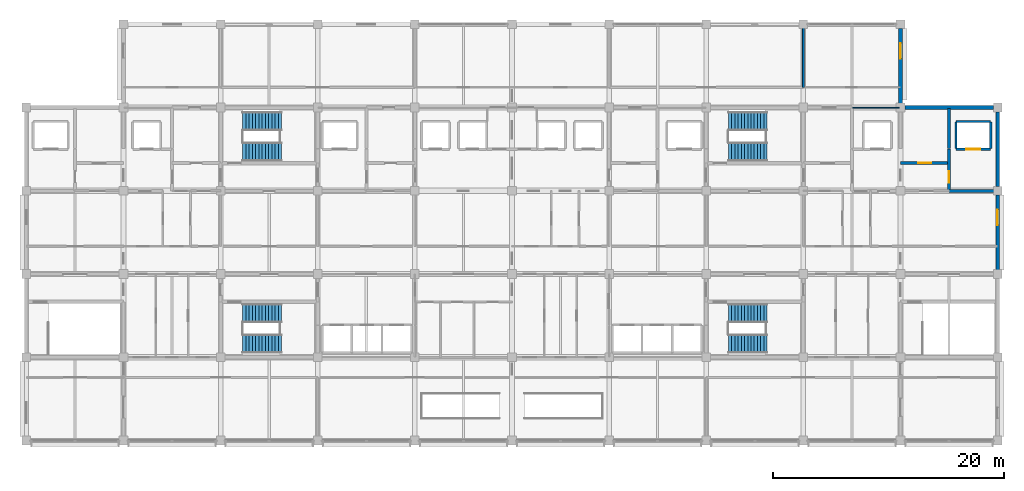
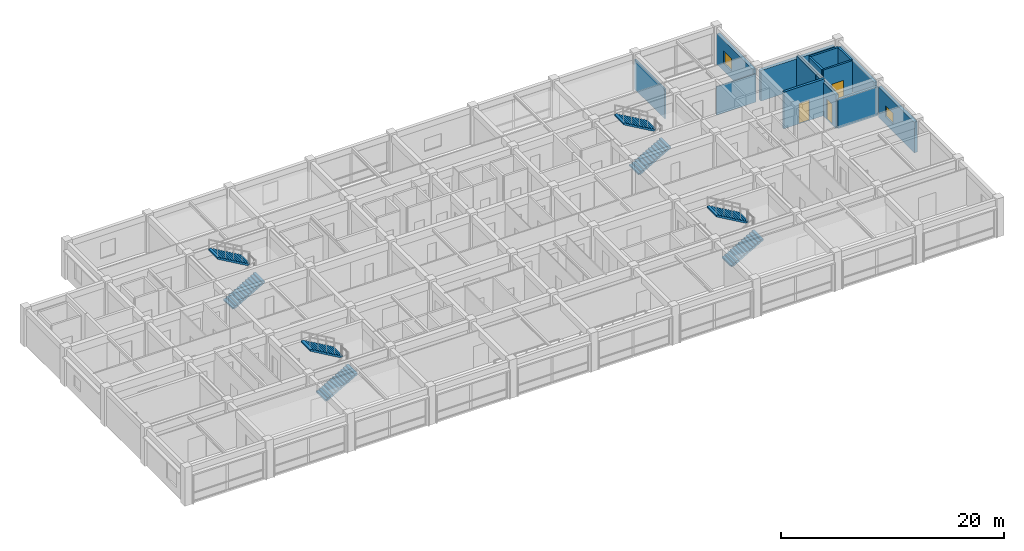
# One storey, part 20 of 23: 14 walls, 8 stair flights, 3 doors, 2 windows, 5 openings, 4 elements without a shape of their own.
"""IFC4 building model written with IfcOpenShell, lengths in metres."""

from ifc_helpers import new_model, si_unit, direction, frame, frame_2d, origin, place, context, subcontext, project, spatial, polyline, rectangle, outline, extrude, material, layer, layer_set, type_object, element, fill, aggregate, save


model = new_model("IFC4")

# Units and contexts
model_context = context("Model", 3, precision=1e-05, world=origin(), true_north=direction((0.0, 1.0)))
body_context = subcontext(model_context, "Body", "Model", "MODEL_VIEW")
ifc_project = project(units=[si_unit("LENGTHUNIT", "METRE"), si_unit("AREAUNIT", "SQUARE_METRE"), si_unit("VOLUMEUNIT", "CUBIC_METRE"), si_unit("PLANEANGLEUNIT", "RADIAN"), si_unit("MASSUNIT", "GRAM", prefix="KILO")], contexts=[model_context])

# Site, building, storey
site_placement = place(None, origin())
site = spatial("IfcSite", under=ifc_project, at=site_placement, CompositionType="ELEMENT")
building_placement = place(site_placement, origin())
building = spatial("IfcBuilding", under=site, at=building_placement, Name="Chengyuan Square Courthouse", CompositionType="ELEMENT")
storey_placement = place(building_placement, frame((0.0, 0.0, 43.5)))
storey = spatial("IfcBuildingStorey", under=building, at=storey_placement, Name="L10", CompositionType="ELEMENT", Elevation=43.5)

# Wall, opening, window
ifc_material_1 = material(Name="Concrete C40", Category="concrete")
ifc_layer_1 = layer(ifc_material_1, 0.320068359375)
ifc_layer_set_1 = layer_set([ifc_layer_1], Name="Concrete C40")
wall_type_1 = type_object("IfcWallType", Name="WL-EW3", PredefinedType="STANDARD", material=ifc_layer_set_1)
wall_1_placement = place(storey_placement, frame((117.60009765625, 108.3701171875, 0.0), z_axis=(0.0, 0.0, 1.0), x_axis=(0.0, 1.0, 0.0)))
wall_1 = element("IfcWall", 1, at=wall_1_placement, inside=storey, type_object=wall_type_1, Name="Exterior Wall WL-L10-E440", PredefinedType="STANDARD", context=body_context, shape_type="SweptSolid", body=[
    extrude(rectangle(XDim=6.4599609375, YDim=0.320068359375, at=frame_2d((3.22998046875, 0.0))), origin(), (0.0, 0.0, 1.0), 3.35009765625),
])
opening_1_placement = place(wall_1_placement, frame((3.85498046875, 0.0, 0.85009765625)))
opening_1 = element("IfcOpeningElement", 2, at=opening_1_placement, cuts=wall_1, Name="Opening WN-175", PredefinedType="OPENING", context=body_context, shape_type="SweptSolid", body=[
    extrude(rectangle(XDim=1.35009765625, YDim=1.3798828125, at=frame_2d((0.675048828125, 0.68994140625))), frame((0.0, 0.172119140625, 0.0), z_axis=(0.0, -1.0, 0.0), x_axis=(1.0, 0.0, 0.0)), (0.0, 0.0, 1.0), 0.343994140625),
])
ifc_material_2 = material(Name="Thermally Broken Aluminium Triple Low-E Window", Category="aluminium")
window_type_1 = type_object("IfcWindowType", Name="WT-20", PartitioningType="SINGLE_PANEL", PredefinedType="WINDOW", material=ifc_material_2)
window_1_placement = place(opening_1_placement, origin())
window_1 = element("IfcWindow", 3, at=window_1_placement, inside=storey, type_object=window_type_1, Name="Facade Window WN-175", OverallHeight=1.3798828125, OverallWidth=1.35009765625, PartitioningType="SINGLE_PANEL", PredefinedType="WINDOW", context=body_context, shape_type="SweptSolid", body=[
    extrude(rectangle(XDim=1.35009765625, YDim=1.3798828125, at=frame_2d((0.675048828125, 0.68994140625))), frame((0.0, 0.030029296875, 0.0), z_axis=(0.0, -1.0, 0.0), x_axis=(1.0, 0.0, 0.0)), (0.0, 0.0, 1.0), 0.06005859375),
])
fill(opening_1, window_1)

wall_2_placement = place(storey_placement, frame((126.0, 93.969970703125, 0.0), z_axis=(0.0, 0.0, 1.0), x_axis=(0.0, 1.0, 0.0)))
wall_2 = element("IfcWall", 4, at=wall_2_placement, inside=storey, type_object=wall_type_1, Name="Exterior Wall WL-L10-E443", PredefinedType="STANDARD", context=body_context, shape_type="SweptSolid", body=[
    extrude(rectangle(XDim=6.4599609375, YDim=0.320068359375, at=frame_2d((3.22998046875, 0.0))), origin(), (0.0, 0.0, 1.0), 3.35009765625),
])
opening_2_placement = place(wall_2_placement, frame((3.85498046875, 0.0, 0.85009765625)))
opening_2 = element("IfcOpeningElement", 5, at=opening_2_placement, cuts=wall_2, Name="Opening WN-177", PredefinedType="OPENING", context=body_context, shape_type="SweptSolid", body=[
    extrude(rectangle(XDim=1.35009765625, YDim=1.199951171875, at=frame_2d((0.675048828125, 0.60009765625))), frame((0.0, 0.172119140625, 0.0), z_axis=(0.0, -1.0, 0.0), x_axis=(1.0, 0.0, 0.0)), (0.0, 0.0, 1.0), 0.343994140625),
])
window_type_2 = type_object("IfcWindowType", Name="WT-19", PartitioningType="SINGLE_PANEL", PredefinedType="WINDOW", material=ifc_material_2)
window_2_placement = place(opening_2_placement, origin())
window_2 = element("IfcWindow", 6, at=window_2_placement, inside=storey, type_object=window_type_2, Name="Facade Window WN-177", OverallHeight=1.199951171875, OverallWidth=1.35009765625, PartitioningType="SINGLE_PANEL", PredefinedType="WINDOW", context=body_context, shape_type="SweptSolid", body=[
    extrude(rectangle(XDim=1.35009765625, YDim=1.199951171875, at=frame_2d((0.675048828125, 0.60009765625))), frame((0.0, 0.030029296875, 0.0), z_axis=(0.0, -1.0, 0.0), x_axis=(1.0, 0.0, 0.0)), (0.0, 0.0, 1.0), 0.06005859375),
])
fill(opening_2, window_2)

# Walls
wall_3_placement = place(storey_placement, frame((117.969970703125, 108.0, 0.0), z_axis=(0.0, 0.0, 1.0), x_axis=(1.0, 0.0, 0.0)))
element("IfcWall", 7, at=wall_3_placement, inside=storey, type_object=wall_type_1, Name="Exterior Wall WL-L10-E444", PredefinedType="STANDARD", context=body_context, shape_type="SweptSolid", body=[
    extrude(rectangle(XDim=7.659912109375, YDim=0.320068359375, at=frame_2d((3.830078125, 0.0))), origin(), (0.0, 0.0, 1.0), 3.35009765625),
])
wall_4_placement = place(storey_placement, frame((126.0, 101.169921875, 0.0), z_axis=(0.0, 0.0, 1.0), x_axis=(0.0, 1.0, 0.0)))
element("IfcWall", 8, at=wall_4_placement, inside=storey, type_object=wall_type_1, Name="Exterior Wall WL-L10-E445", PredefinedType="STANDARD", context=body_context, shape_type="SweptSolid", body=[
    extrude(rectangle(XDim=6.4599609375, YDim=0.320068359375, at=frame_2d((3.22998046875, 0.0))), origin(), (0.0, 0.0, 1.0), 3.35009765625),
])
ifc_layer_2 = layer(ifc_material_1, 0.25)
ifc_layer_set_2 = layer_set([ifc_layer_2], Name="Concrete C40")
wall_type_2 = type_object("IfcWallType", Name="WL-FW1", PredefinedType="STANDARD", material=ifc_layer_set_2)
wall_5_placement = place(storey_placement, frame((121.800048828125, 100.800048828125, 0.0), z_axis=(0.0, 0.0, 1.0), x_axis=(1.0, 0.0, 0.0)))
element("IfcWall", 9, at=wall_5_placement, inside=storey, type_object=wall_type_2, Name="Interior Wall WL-L10-I3350", PredefinedType="STANDARD", context=body_context, shape_type="SweptSolid", body=[
    extrude(rectangle(XDim=4.159912109375, YDim=0.25, at=frame_2d((2.080078125, 0.0))), origin(), (0.0, 0.0, 1.0), 3.14990234375),
])

# Wall, opening, door
wall_6_placement = place(storey_placement, frame((117.60009765625, 103.199951171875, 0.0), z_axis=(0.0, 0.0, 1.0), x_axis=(1.0, 0.0, 0.0)))
wall_6 = element("IfcWall", 10, at=wall_6_placement, inside=storey, type_object=wall_type_2, Name="Interior Wall WL-L10-I3358", PredefinedType="STANDARD", context=body_context, shape_type="SweptSolid", body=[
    extrude(rectangle(XDim=4.199951171875, YDim=0.25, at=frame_2d((2.10009765625, 0.0))), origin(), (0.0, 0.0, 1.0), 4.0),
])
opening_3_placement = place(wall_6_placement, frame((1.550048828125, 0.0, 0.0)))
opening_3 = element("IfcOpeningElement", 11, at=opening_3_placement, cuts=wall_6, Name="Opening DR-2807", PredefinedType="OPENING", context=body_context, shape_type="SweptSolid", body=[
    extrude(rectangle(XDim=1.10009765625, YDim=2.199951171875, at=frame_2d((0.550048828125, 1.10009765625))), frame((0.0, 0.136962890625, 0.0), z_axis=(0.0, -1.0, 0.0), x_axis=(1.0, 0.0, 0.0)), (0.0, 0.0, 1.0), 0.27392578125),
])
ifc_material_3 = material(Name="Steel Q235B Fire Door", Category="steel")
door_type_1 = type_object("IfcDoorType", Name="DT-10", OperationType="NOTDEFINED", PredefinedType="DOOR", material=ifc_material_3)
door_1_placement = place(opening_3_placement, origin())
door_1 = element("IfcDoor", 12, at=door_1_placement, inside=storey, type_object=door_type_1, Name="Interior Door DR-2807", OperationType="SINGLE_SWING_LEFT", OverallHeight=2.199951171875, OverallWidth=1.10009765625, PredefinedType="DOOR", context=body_context, shape_type="SweptSolid", body=[
    extrude(rectangle(XDim=1.10009765625, YDim=2.199951171875, at=frame_2d((0.550048828125, 1.10009765625))), frame((0.0, 0.02490234375, 0.0), z_axis=(0.0, -1.0, 0.0), x_axis=(1.0, 0.0, 0.0)), (0.0, 0.0, 1.0), 0.050048828125),
])
fill(opening_3, door_1)

wall_7_placement = place(storey_placement, frame((121.800048828125, 100.800048828125, 0.0), z_axis=(0.0, 0.0, 1.0), x_axis=(0.0, 1.0, 0.0)))
wall_7 = element("IfcWall", 13, at=wall_7_placement, inside=storey, type_object=wall_type_2, Name="Interior Wall WL-L10-I3502", PredefinedType="STANDARD", context=body_context, shape_type="SweptSolid", body=[
    extrude(rectangle(XDim=3.599853515625, YDim=0.25, at=frame_2d((1.7998046875, 0.0))), origin(), (0.0, 0.0, 1.0), 3.64990234375),
])
opening_4_placement = place(wall_7_placement, frame((0.699951171875, 0.0, 0.0)))
opening_4 = element("IfcOpeningElement", 14, at=opening_4_placement, cuts=wall_7, Name="Opening DR-2808", PredefinedType="OPENING", context=body_context, shape_type="SweptSolid", body=[
    extrude(rectangle(XDim=1.0, YDim=2.199951171875, at=frame_2d((0.5, 1.10009765625))), frame((0.0, 0.136962890625, 0.0), z_axis=(0.0, -1.0, 0.0), x_axis=(1.0, 0.0, 0.0)), (0.0, 0.0, 1.0), 0.27392578125),
])
door_type_2 = type_object("IfcDoorType", Name="DT-11", OperationType="NOTDEFINED", PredefinedType="DOOR", material=ifc_material_3)
door_2_placement = place(opening_4_placement, origin())
door_2 = element("IfcDoor", 15, at=door_2_placement, inside=storey, type_object=door_type_2, Name="Interior Door DR-2808", OperationType="SINGLE_SWING_RIGHT", OverallHeight=2.199951171875, OverallWidth=1.0, PredefinedType="DOOR", context=body_context, shape_type="SweptSolid", body=[
    extrude(rectangle(XDim=1.0, YDim=2.199951171875, at=frame_2d((0.5, 1.10009765625))), frame((0.0, 0.02490234375, 0.0), z_axis=(0.0, -1.0, 0.0), x_axis=(1.0, 0.0, 0.0)), (0.0, 0.0, 1.0), 0.050048828125),
])
fill(opening_4, door_2)

# Walls
wall_8_placement = place(storey_placement, frame((121.800048828125, 104.449951171875, 0.0), z_axis=(0.0, 0.0, 1.0), x_axis=(0.0, 1.0, 0.0)))
element("IfcWall", 16, at=wall_8_placement, inside=storey, type_object=wall_type_2, Name="Interior Wall WL-L10-I3503", PredefinedType="STANDARD", context=body_context, shape_type="SweptSolid", body=[
    extrude(rectangle(XDim=3.4599609375, YDim=0.25, at=frame_2d((1.72998046875, 0.0))), origin(), (0.0, 0.0, 1.0), 3.64990234375),
])
ifc_material_4 = material(Name="Acoustic Timber-Lined Gypsum Partition", Category="wood")
ifc_layer_3 = layer(ifc_material_4, 0.159912109375)
ifc_layer_set_3 = layer_set([ifc_layer_3], Name="Acoustic Timber-Lined Gypsum Partition")
wall_type_3 = type_object("IfcWallType", Name="WL-PT2", PredefinedType="STANDARD", material=ifc_layer_set_3)
wall_9_placement = place(storey_placement, frame((109.199951171875, 109.75, 0.0), z_axis=(0.0, 0.0, 1.0), x_axis=(0.0, 1.0, 0.0)))
element("IfcWall", 17, at=wall_9_placement, inside=storey, type_object=wall_type_3, Name="Interior Wall WL-L10-I3489", PredefinedType="STANDARD", context=body_context, shape_type="SweptSolid", body=[
    extrude(rectangle(XDim=5.409912109375, YDim=0.159912109375, at=frame_2d((2.705078125, 0.0))), origin(), (0.0, 0.0, 1.0), 3.25),
])
ifc_material_5 = material(Name="Gypsum Plasterboard Acoustic Stud Partition")
ifc_layer_4 = layer(ifc_material_5, 0.10009765625)
ifc_layer_set_4 = layer_set([ifc_layer_4], Name="Gypsum Plasterboard Acoustic Stud Partition")
wall_type_4 = type_object("IfcWallType", Name="WL-PT6", PredefinedType="STANDARD", material=ifc_layer_set_4)
wall_10_placement = place(storey_placement, frame((113.449951171875, 108.0, 0.0), z_axis=(0.0, 0.0, 1.0), x_axis=(1.0, 0.0, 0.0)))
element("IfcWall", 18, at=wall_10_placement, inside=storey, type_object=wall_type_4, Name="Interior Wall WL-L10-I3394", PredefinedType="STANDARD", context=body_context, shape_type="SweptSolid", body=[
    extrude(rectangle(XDim=4.06005859375, YDim=0.10009765625, at=frame_2d((2.030029296875, 0.0))), origin(), (0.0, 0.0, 1.0), 3.10009765625),
])

# Wall, opening, door
ifc_material_6 = material(Name="Reinforced Masonry Shaft Enclosure", Category="masonry")
ifc_layer_5 = layer(ifc_material_6, 0.199951171875)
ifc_layer_set_5 = layer_set([ifc_layer_5], Name="Reinforced Masonry Shaft Enclosure")
wall_type_5 = type_object("IfcWallType", Name="WL-SH1", PredefinedType="STANDARD", material=ifc_layer_set_5)
wall_11_placement = place(storey_placement, frame((122.39990234375, 104.39990234375, 0.0), z_axis=(0.0, 0.0, 1.0), x_axis=(1.0, 0.0, 0.0)))
wall_11 = element("IfcWall", 19, at=wall_11_placement, inside=storey, type_object=wall_type_5, Name="Interior Wall WL-L10-I3371", PredefinedType="STANDARD", context=body_context, shape_type="SweptSolid", body=[
    extrude(rectangle(XDim=3.0, YDim=0.199951171875, at=frame_2d((1.5, 0.0))), origin(), (0.0, 0.0, 1.0), 4.0),
])
opening_5_placement = place(wall_11_placement, frame((0.89990234375, 0.0, 0.0)))
opening_5 = element("IfcOpeningElement", 20, at=opening_5_placement, cuts=wall_11, Name="Opening LD-168", PredefinedType="OPENING", context=body_context, shape_type="SweptSolid", body=[
    extrude(rectangle(XDim=1.199951171875, YDim=2.14990234375, at=frame_2d((0.60009765625, 1.074951171875))), frame((0.0, 0.112060546875, 0.0), z_axis=(0.0, -1.0, 0.0), x_axis=(1.0, 0.0, 0.0)), (0.0, 0.0, 1.0), 0.223876953125),
])
ifc_material_7 = material(Name="Stainless Steel S30408 Lift Landing Door", Category="steel")
door_type_3 = type_object("IfcDoorType", Name="DT-05", OperationType="DOUBLE_DOOR_SLIDING", PredefinedType="DOOR", material=ifc_material_7)
door_3_placement = place(opening_5_placement, origin())
door_3 = element("IfcDoor", 21, at=door_3_placement, inside=storey, type_object=door_type_3, Name="Lift Landing Door LF-F4 L10", OperationType="DOUBLE_DOOR_SLIDING", OverallHeight=2.14990234375, OverallWidth=1.199951171875, PredefinedType="DOOR", context=body_context, shape_type="SweptSolid", body=[
    extrude(rectangle(XDim=1.199951171875, YDim=2.14990234375, at=frame_2d((0.60009765625, 1.074951171875))), frame((0.0, 0.02490234375, 0.0), z_axis=(0.0, -1.0, 0.0), x_axis=(1.0, 0.0, 0.0)), (0.0, 0.0, 1.0), 0.050048828125),
])
fill(opening_5, door_3)

# Walls
wall_12_placement = place(storey_placement, frame((122.39990234375, 106.800048828125, 0.0), z_axis=(0.0, 0.0, 1.0), x_axis=(1.0, 0.0, 0.0)))
element("IfcWall", 22, at=wall_12_placement, inside=storey, type_object=wall_type_5, Name="Interior Wall WL-L10-I3381", PredefinedType="STANDARD", context=body_context, shape_type="SweptSolid", body=[
    extrude(rectangle(XDim=3.0, YDim=0.199951171875, at=frame_2d((1.5, 0.0))), origin(), (0.0, 0.0, 1.0), 4.0),
])
for number, where, z_axis, x_axis, name in (
    (23, (122.39990234375, 104.449951171875, 0.0), (0.0, 0.0, 1.0), (0.0, 1.0, 0.0), "Interior Wall WL-L10-I3504"),
    (24, (125.39990234375, 104.449951171875, 0.0), (0.0, 0.0, 1.0), (0.0, 1.0, 0.0), "Interior Wall WL-L10-I3505"),
):
    element("IfcWall", number, at=place(storey_placement, frame(where, z_axis=z_axis, x_axis=x_axis)), inside=storey, type_object=wall_type_5, Name=name, PredefinedType="STANDARD", context=body_context, shape_type="SweptSolid", body=[
        extrude(rectangle(XDim=2.300048828125, YDim=0.199951171875, at=frame_2d((1.14990234375, 0.0))), origin(), (0.0, 0.0, 1.0), 4.0),
    ])

# Stair, stair flights
stair_type_1 = type_object("IfcStairType", Name="ST-TYPE-01", PredefinedType="HALF_TURN_STAIR", material=ifc_material_1)
stair_1_placement = place(storey_placement, origin())
stair_1 = element("IfcStair", 25, at=stair_1_placement, inside=storey, type_object=stair_type_1, Name="Smoke-Proof Exit Stair ST-1 (L10 to L11)", PredefinedType="HALF_TURN_STAIR")
stair_flight_type_1 = type_object("IfcStairFlightType", Name="STF-TYPE-01", PredefinedType="STRAIGHT", material=ifc_material_1)
stair_flight_1_placement = place(storey_placement, frame((60.7099609375, 104.175048828125, 0.0), z_axis=(0.0, 0.0, 1.0), x_axis=(1.0, 0.0, 0.0)))
stair_flight_1 = element("IfcStairFlight", 26, at=stair_flight_1_placement, type_object=stair_flight_type_1, Name="ST-1 flight 1", NumberOfRisers=13, NumberOfTreads=12, PredefinedType="STRAIGHT", RiserHeight=0.161538462, TreadLength=0.28, context=body_context, shape_type="SweptSolid", body=[
    extrude(outline(polyline([(0.0, 0.0), (0.0, 0.16162109375), (0.280029296875, 0.16162109375), (0.280029296875, 0.322998046875), (0.56005859375, 0.322998046875), (0.56005859375, 0.484619140625), (0.840087890625, 0.484619140625), (0.840087890625, 0.646240234375), (1.1201171875, 0.646240234375), (1.1201171875, 0.8076171875), (1.39990234375, 0.8076171875), (1.39990234375, 0.96923828125), (1.679931640625, 0.96923828125), (1.679931640625, 1.130859375), (1.9599609375, 1.130859375), (1.9599609375, 1.292236328125), (2.239990234375, 1.292236328125), (2.239990234375, 1.453857421875), (2.52001953125, 1.453857421875), (2.52001953125, 1.615478515625), (2.800048828125, 1.615478515625), (2.800048828125, 1.77685546875), (3.080078125, 1.77685546875), (3.080078125, 1.9384765625), (3.360107421875, 1.9384765625), (3.360107421875, 2.10009765625), (3.360107421875, 1.765380859375), (0.300048828125, 0.0), (0.0, 0.0)])), frame((0.0, 0.824951171875, 0.0), z_axis=(0.0, -1.0, 0.0), x_axis=(1.0, 0.0, 0.0)), (0.0, 0.0, 1.0), 1.64990234375),
])
stair_flight_2_placement = place(storey_placement, frame((64.070068359375, 106.824951171875, 2.10009765625), z_axis=(0.0, 0.0, 1.0), x_axis=(-1.0, 0.0, 0.0)))
stair_flight_2 = element("IfcStairFlight", 27, at=stair_flight_2_placement, type_object=stair_flight_type_1, Name="ST-1 flight 2", NumberOfRisers=13, NumberOfTreads=12, PredefinedType="STRAIGHT", RiserHeight=0.161538462, TreadLength=0.28, context=body_context, shape_type="SweptSolid", body=[
    extrude(outline(polyline([(0.0, 0.0), (0.0, 0.16162109375), (0.280029296875, 0.16162109375), (0.280029296875, 0.322998046875), (0.56005859375, 0.322998046875), (0.56005859375, 0.484619140625), (0.840087890625, 0.484619140625), (0.840087890625, 0.646240234375), (1.1201171875, 0.646240234375), (1.1201171875, 0.8076171875), (1.39990234375, 0.8076171875), (1.39990234375, 0.96923828125), (1.679931640625, 0.96923828125), (1.679931640625, 1.130859375), (1.9599609375, 1.130859375), (1.9599609375, 1.292236328125), (2.239990234375, 1.292236328125), (2.239990234375, 1.453857421875), (2.52001953125, 1.453857421875), (2.52001953125, 1.615478515625), (2.800048828125, 1.615478515625), (2.800048828125, 1.77685546875), (3.080078125, 1.77685546875), (3.080078125, 1.9384765625), (3.360107421875, 1.9384765625), (3.360107421875, 2.10009765625), (3.360107421875, 1.765380859375), (0.300048828125, 0.0), (0.0, 0.0)])), frame((0.0, 0.824951171875, 0.0), z_axis=(0.0, -1.0, 0.0), x_axis=(1.0, 0.0, 0.0)), (0.0, 0.0, 1.0), 1.64990234375),
])
aggregate(stair_1, [stair_flight_1, stair_flight_2])

stair_type_2 = type_object("IfcStairType", Name="ST-TYPE-02", PredefinedType="HALF_TURN_STAIR", material=ifc_material_1)
stair_2_placement = place(storey_placement, origin())
stair_2 = element("IfcStair", 28, at=stair_2_placement, inside=storey, type_object=stair_type_2, Name="Smoke-Proof Exit Stair ST-2 (L10 to L11)", PredefinedType="HALF_TURN_STAIR")
stair_flight_type_2 = type_object("IfcStairFlightType", Name="STF-TYPE-02", PredefinedType="STRAIGHT", material=ifc_material_1)
stair_flight_3_placement = place(storey_placement, frame((102.7099609375, 104.175048828125, 0.0), z_axis=(0.0, 0.0, 1.0), x_axis=(1.0, 0.0, 0.0)))
stair_flight_3 = element("IfcStairFlight", 29, at=stair_flight_3_placement, type_object=stair_flight_type_2, Name="ST-2 flight 1", NumberOfRisers=13, NumberOfTreads=12, PredefinedType="STRAIGHT", RiserHeight=0.161538462, TreadLength=0.28, context=body_context, shape_type="SweptSolid", body=[
    extrude(outline(polyline([(0.0, 0.0), (0.0, 0.16162109375), (0.280029296875, 0.16162109375), (0.280029296875, 0.322998046875), (0.56005859375, 0.322998046875), (0.56005859375, 0.484619140625), (0.840087890625, 0.484619140625), (0.840087890625, 0.646240234375), (1.1201171875, 0.646240234375), (1.1201171875, 0.8076171875), (1.39990234375, 0.8076171875), (1.39990234375, 0.96923828125), (1.679931640625, 0.96923828125), (1.679931640625, 1.130859375), (1.9599609375, 1.130859375), (1.9599609375, 1.292236328125), (2.239990234375, 1.292236328125), (2.239990234375, 1.453857421875), (2.52001953125, 1.453857421875), (2.52001953125, 1.615478515625), (2.800048828125, 1.615478515625), (2.800048828125, 1.77685546875), (3.080078125, 1.77685546875), (3.080078125, 1.9384765625), (3.360107421875, 1.9384765625), (3.360107421875, 2.10009765625), (3.360107421875, 1.765380859375), (0.300048828125, 0.0), (0.0, 0.0)])), frame((0.0, 0.824951171875, 0.0), z_axis=(0.0, -1.0, 0.0), x_axis=(1.0, 0.0, 0.0)), (0.0, 0.0, 1.0), 1.64990234375),
])
stair_flight_4_placement = place(storey_placement, frame((106.070068359375, 106.824951171875, 2.10009765625), z_axis=(0.0, 0.0, 1.0), x_axis=(-1.0, 0.0, 0.0)))
stair_flight_4 = element("IfcStairFlight", 30, at=stair_flight_4_placement, type_object=stair_flight_type_2, Name="ST-2 flight 2", NumberOfRisers=13, NumberOfTreads=12, PredefinedType="STRAIGHT", RiserHeight=0.161538462, TreadLength=0.28, context=body_context, shape_type="SweptSolid", body=[
    extrude(outline(polyline([(0.0, 0.0), (0.0, 0.16162109375), (0.280029296875, 0.16162109375), (0.280029296875, 0.322998046875), (0.56005859375, 0.322998046875), (0.56005859375, 0.484619140625), (0.840087890625, 0.484619140625), (0.840087890625, 0.646240234375), (1.1201171875, 0.646240234375), (1.1201171875, 0.8076171875), (1.39990234375, 0.8076171875), (1.39990234375, 0.96923828125), (1.679931640625, 0.96923828125), (1.679931640625, 1.130859375), (1.9599609375, 1.130859375), (1.9599609375, 1.292236328125), (2.239990234375, 1.292236328125), (2.239990234375, 1.453857421875), (2.52001953125, 1.453857421875), (2.52001953125, 1.615478515625), (2.800048828125, 1.615478515625), (2.800048828125, 1.77685546875), (3.080078125, 1.77685546875), (3.080078125, 1.9384765625), (3.360107421875, 1.9384765625), (3.360107421875, 2.10009765625), (3.360107421875, 1.765380859375), (0.300048828125, 0.0), (0.0, 0.0)])), frame((0.0, 0.824951171875, 0.0), z_axis=(0.0, -1.0, 0.0), x_axis=(1.0, 0.0, 0.0)), (0.0, 0.0, 1.0), 1.64990234375),
])
aggregate(stair_2, [stair_flight_3, stair_flight_4])

stair_type_3 = type_object("IfcStairType", Name="ST-TYPE-03", PredefinedType="HALF_TURN_STAIR", material=ifc_material_1)
stair_3_placement = place(storey_placement, origin())
stair_3 = element("IfcStair", 31, at=stair_3_placement, inside=storey, type_object=stair_type_3, Name="Smoke-Proof Exit Stair ST-3 (L10 to L11)", PredefinedType="HALF_TURN_STAIR")
stair_flight_type_3 = type_object("IfcStairFlightType", Name="STF-TYPE-03", PredefinedType="STRAIGHT", material=ifc_material_1)
stair_flight_5_placement = place(storey_placement, frame((60.7099609375, 87.574951171875, 0.0), z_axis=(0.0, 0.0, 1.0), x_axis=(1.0, 0.0, 0.0)))
stair_flight_5 = element("IfcStairFlight", 32, at=stair_flight_5_placement, type_object=stair_flight_type_3, Name="ST-3 flight 1", NumberOfRisers=13, NumberOfTreads=12, PredefinedType="STRAIGHT", RiserHeight=0.161538462, TreadLength=0.28, context=body_context, shape_type="SweptSolid", body=[
    extrude(outline(polyline([(0.0, 0.0), (0.0, 0.16162109375), (0.280029296875, 0.16162109375), (0.280029296875, 0.322998046875), (0.56005859375, 0.322998046875), (0.56005859375, 0.484619140625), (0.840087890625, 0.484619140625), (0.840087890625, 0.646240234375), (1.1201171875, 0.646240234375), (1.1201171875, 0.8076171875), (1.39990234375, 0.8076171875), (1.39990234375, 0.96923828125), (1.679931640625, 0.96923828125), (1.679931640625, 1.130859375), (1.9599609375, 1.130859375), (1.9599609375, 1.292236328125), (2.239990234375, 1.292236328125), (2.239990234375, 1.453857421875), (2.52001953125, 1.453857421875), (2.52001953125, 1.615478515625), (2.800048828125, 1.615478515625), (2.800048828125, 1.77685546875), (3.080078125, 1.77685546875), (3.080078125, 1.9384765625), (3.360107421875, 1.9384765625), (3.360107421875, 2.10009765625), (3.360107421875, 1.765380859375), (0.300048828125, 0.0), (0.0, 0.0)])), frame((0.0, 0.824951171875, 0.0), z_axis=(0.0, -1.0, 0.0), x_axis=(1.0, 0.0, 0.0)), (0.0, 0.0, 1.0), 1.64990234375),
])
stair_flight_6_placement = place(storey_placement, frame((64.070068359375, 90.22509765625, 2.10009765625), z_axis=(0.0, 0.0, 1.0), x_axis=(-1.0, 0.0, 0.0)))
stair_flight_6 = element("IfcStairFlight", 33, at=stair_flight_6_placement, type_object=stair_flight_type_3, Name="ST-3 flight 2", NumberOfRisers=13, NumberOfTreads=12, PredefinedType="STRAIGHT", RiserHeight=0.161538462, TreadLength=0.28, context=body_context, shape_type="SweptSolid", body=[
    extrude(outline(polyline([(0.0, 0.0), (0.0, 0.16162109375), (0.280029296875, 0.16162109375), (0.280029296875, 0.322998046875), (0.56005859375, 0.322998046875), (0.56005859375, 0.484619140625), (0.840087890625, 0.484619140625), (0.840087890625, 0.646240234375), (1.1201171875, 0.646240234375), (1.1201171875, 0.8076171875), (1.39990234375, 0.8076171875), (1.39990234375, 0.96923828125), (1.679931640625, 0.96923828125), (1.679931640625, 1.130859375), (1.9599609375, 1.130859375), (1.9599609375, 1.292236328125), (2.239990234375, 1.292236328125), (2.239990234375, 1.453857421875), (2.52001953125, 1.453857421875), (2.52001953125, 1.615478515625), (2.800048828125, 1.615478515625), (2.800048828125, 1.77685546875), (3.080078125, 1.77685546875), (3.080078125, 1.9384765625), (3.360107421875, 1.9384765625), (3.360107421875, 2.10009765625), (3.360107421875, 1.765380859375), (0.300048828125, 0.0), (0.0, 0.0)])), frame((0.0, 0.824951171875, 0.0), z_axis=(0.0, -1.0, 0.0), x_axis=(1.0, 0.0, 0.0)), (0.0, 0.0, 1.0), 1.64990234375),
])
aggregate(stair_3, [stair_flight_5, stair_flight_6])

stair_type_4 = type_object("IfcStairType", Name="ST-TYPE-04", PredefinedType="HALF_TURN_STAIR", material=ifc_material_1)
stair_4_placement = place(storey_placement, origin())
stair_4 = element("IfcStair", 34, at=stair_4_placement, inside=storey, type_object=stair_type_4, Name="Smoke-Proof Exit Stair ST-4 (L10 to L11)", PredefinedType="HALF_TURN_STAIR")
stair_flight_type_4 = type_object("IfcStairFlightType", Name="STF-TYPE-04", PredefinedType="STRAIGHT", material=ifc_material_1)
stair_flight_7_placement = place(storey_placement, frame((102.7099609375, 87.574951171875, 0.0), z_axis=(0.0, 0.0, 1.0), x_axis=(1.0, 0.0, 0.0)))
stair_flight_7 = element("IfcStairFlight", 35, at=stair_flight_7_placement, type_object=stair_flight_type_4, Name="ST-4 flight 1", NumberOfRisers=13, NumberOfTreads=12, PredefinedType="STRAIGHT", RiserHeight=0.161538462, TreadLength=0.28, context=body_context, shape_type="SweptSolid", body=[
    extrude(outline(polyline([(0.0, 0.0), (0.0, 0.16162109375), (0.280029296875, 0.16162109375), (0.280029296875, 0.322998046875), (0.56005859375, 0.322998046875), (0.56005859375, 0.484619140625), (0.840087890625, 0.484619140625), (0.840087890625, 0.646240234375), (1.1201171875, 0.646240234375), (1.1201171875, 0.8076171875), (1.39990234375, 0.8076171875), (1.39990234375, 0.96923828125), (1.679931640625, 0.96923828125), (1.679931640625, 1.130859375), (1.9599609375, 1.130859375), (1.9599609375, 1.292236328125), (2.239990234375, 1.292236328125), (2.239990234375, 1.453857421875), (2.52001953125, 1.453857421875), (2.52001953125, 1.615478515625), (2.800048828125, 1.615478515625), (2.800048828125, 1.77685546875), (3.080078125, 1.77685546875), (3.080078125, 1.9384765625), (3.360107421875, 1.9384765625), (3.360107421875, 2.10009765625), (3.360107421875, 1.765380859375), (0.300048828125, 0.0), (0.0, 0.0)])), frame((0.0, 0.824951171875, 0.0), z_axis=(0.0, -1.0, 0.0), x_axis=(1.0, 0.0, 0.0)), (0.0, 0.0, 1.0), 1.64990234375),
])
stair_flight_8_placement = place(storey_placement, frame((106.070068359375, 90.22509765625, 2.10009765625), z_axis=(0.0, 0.0, 1.0), x_axis=(-1.0, 0.0, 0.0)))
stair_flight_8 = element("IfcStairFlight", 36, at=stair_flight_8_placement, type_object=stair_flight_type_4, Name="ST-4 flight 2", NumberOfRisers=13, NumberOfTreads=12, PredefinedType="STRAIGHT", RiserHeight=0.161538462, TreadLength=0.28, context=body_context, shape_type="SweptSolid", body=[
    extrude(outline(polyline([(0.0, 0.0), (0.0, 0.16162109375), (0.280029296875, 0.16162109375), (0.280029296875, 0.322998046875), (0.56005859375, 0.322998046875), (0.56005859375, 0.484619140625), (0.840087890625, 0.484619140625), (0.840087890625, 0.646240234375), (1.1201171875, 0.646240234375), (1.1201171875, 0.8076171875), (1.39990234375, 0.8076171875), (1.39990234375, 0.96923828125), (1.679931640625, 0.96923828125), (1.679931640625, 1.130859375), (1.9599609375, 1.130859375), (1.9599609375, 1.292236328125), (2.239990234375, 1.292236328125), (2.239990234375, 1.453857421875), (2.52001953125, 1.453857421875), (2.52001953125, 1.615478515625), (2.800048828125, 1.615478515625), (2.800048828125, 1.77685546875), (3.080078125, 1.77685546875), (3.080078125, 1.9384765625), (3.360107421875, 1.9384765625), (3.360107421875, 2.10009765625), (3.360107421875, 1.765380859375), (0.300048828125, 0.0), (0.0, 0.0)])), frame((0.0, 0.824951171875, 0.0), z_axis=(0.0, -1.0, 0.0), x_axis=(1.0, 0.0, 0.0)), (0.0, 0.0, 1.0), 1.64990234375),
])
aggregate(stair_4, [stair_flight_7, stair_flight_8])

save(model, "model.ifc")
